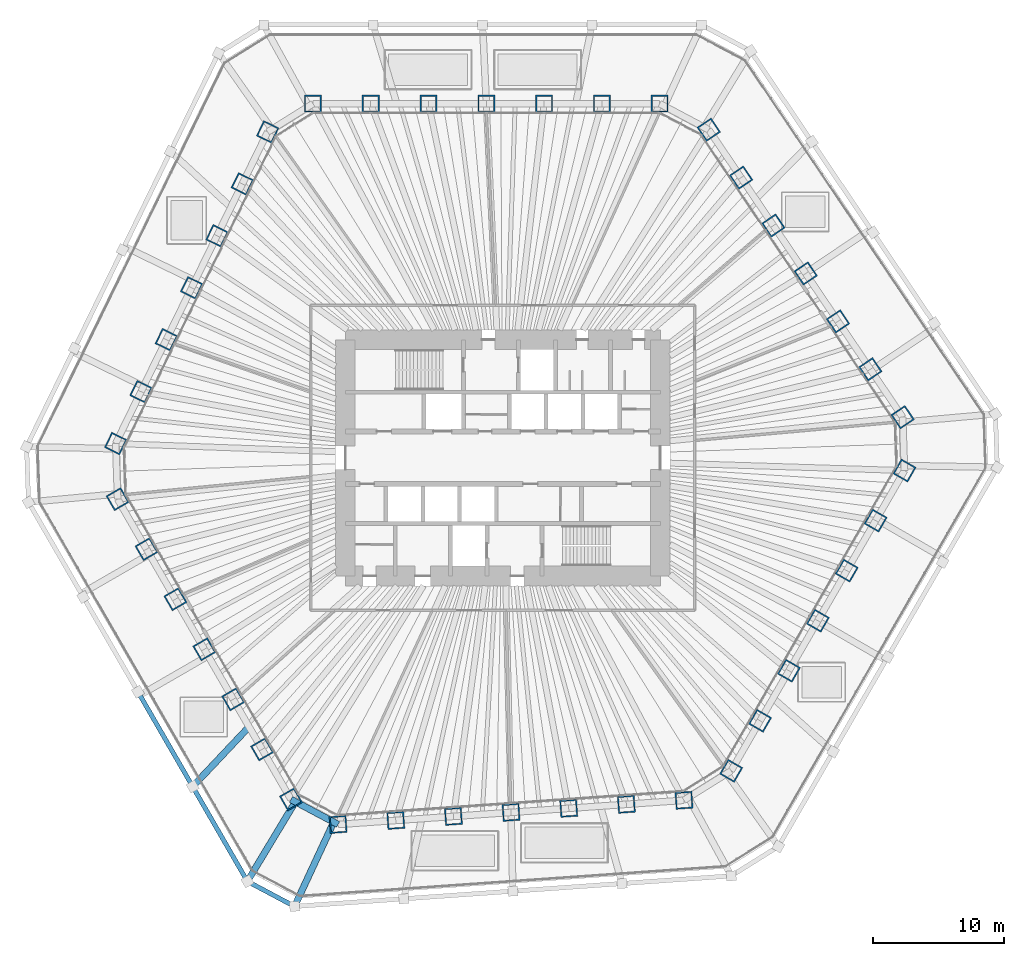
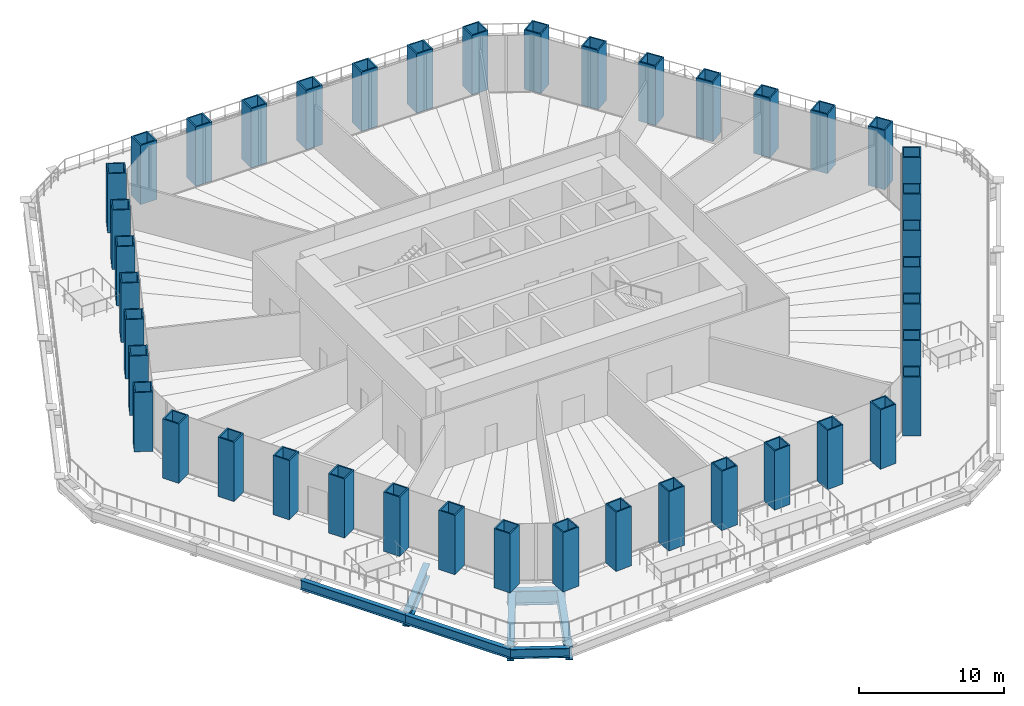
# One storey, part 1 of 20: 42 columns, 7 beams.
"""IFC4 building model written with IfcOpenShell, lengths in metres."""

from ifc_helpers import new_model, si_unit, direction, frame, origin, origin_2d, place, context, subcontext, project, spatial, hollow_rectangle, i_section, extrude, material, material_profile, profile_set, type_object, element, save


model = new_model("IFC4")

# Units and contexts
model_context = context("Model", 3, precision=1e-05, world=origin(), true_north=direction((0.0, 1.0)))
body_context = subcontext(model_context, "Body", "Model", "MODEL_VIEW")
ifc_project = project(units=[si_unit("LENGTHUNIT", "METRE"), si_unit("AREAUNIT", "SQUARE_METRE"), si_unit("VOLUMEUNIT", "CUBIC_METRE"), si_unit("PLANEANGLEUNIT", "RADIAN"), si_unit("MASSUNIT", "GRAM", prefix="KILO")], contexts=[model_context])

# Site, building, storey
site_placement = place(None, origin())
site = spatial("IfcSite", under=ifc_project, at=site_placement, CompositionType="ELEMENT")
building_placement = place(site_placement, origin())
building = spatial("IfcBuilding", under=site, at=building_placement, Name="Qingtian Harvest Tower", CompositionType="ELEMENT")
storey_placement = place(building_placement, frame((0.0, 0.0, 17.0)))
storey = spatial("IfcBuildingStorey", under=building, at=storey_placement, Name="L03", CompositionType="ELEMENT", Elevation=17.0)

# Columns
ifc_material_1 = material(Name="Steel SM570MC", Category="steel")
ifc_material_profile_1 = material_profile(ifc_material_1, hollow_rectangle(XDim=1.300048828125, YDim=1.300048828125, WallThickness=0.10009765625, at=origin_2d()), Name="BOX1300x1300x100")
ifc_profile_set_1 = profile_set([ifc_material_profile_1], Name="Steel SM570MC")
column_type = type_object("IfcColumnType", Name="Tube column TC1 BOX1300x1300x100", PredefinedType="COLUMN", material=ifc_profile_set_1)
for number, where, z_axis, x_axis, name in (
    (1, (-14.471435546875, 27.0, 0.0), (0.0, 0.0, 1.0), (-1.0, 0.0, 0.0), "Tube column TC1 N0"),
    (2, (-10.06689453125, 27.0, 0.0), (0.0, 0.0, 1.0), (-1.0, 0.0, 0.0), "Tube column TC1 N1"),
    (3, (-5.662353515625, 27.0, 0.0), (0.0, 0.0, 1.0), (-1.0, 0.0, 0.0), "Tube column TC1 N2"),
    (4, (-1.257568359375, 27.0, 0.0), (0.0, 0.0, 1.0), (-1.0, 0.0, 0.0), "Tube column TC1 N3"),
    (5, (3.14697265625, 27.0, 0.0), (0.0, 0.0, 1.0), (-1.0, 0.0, 0.0), "Tube column TC1 N4"),
    (6, (7.551513671875, 27.0, 0.0), (0.0, 0.0, 1.0), (-1.0, 0.0, 0.0), "Tube column TC1 N5"),
    (7, (11.9560546875, 27.0, 0.0), (0.0, 0.0, 1.0), (-1.0, 0.0, 0.0), "Tube column TC1 N6"),
    (8, (15.6982421875, 25.01025390625, 0.0), (0.0, 0.0, 1.0), (-0.559192903471, 0.829037572555, 0.0), "Tube column TC1 NE0"),
    (9, (18.1611328125, 21.358642578125, 0.0), (0.0, 0.0, 1.0), (-0.559192903471, 0.829037572555, 0.0), "Tube column TC1 NE1"),
    (10, (20.624267578125, 17.70703125, 0.0), (0.0, 0.0, 1.0), (-0.559192903471, 0.829037572555, 0.0), "Tube column TC1 NE2"),
    (11, (23.08740234375, 14.0556640625, 0.0), (0.0, 0.0, 1.0), (-0.559192903471, 0.829037572555, 0.0), "Tube column TC1 NE3"),
    (12, (25.55029296875, 10.404052734375, 0.0), (0.0, 0.0, 1.0), (-0.559192903471, 0.829037572555, 0.0), "Tube column TC1 NE4"),
    (13, (28.013427734375, 6.75244140625, 0.0), (0.0, 0.0, 1.0), (-0.559192903471, 0.829037572555, 0.0), "Tube column TC1 NE5"),
    (14, (30.476318359375, 3.100830078125, 0.0), (0.0, 0.0, 1.0), (-0.559192903471, 0.829037572555, 0.0), "Tube column TC1 NE6"),
    (15, (30.618408203125, -0.96728515625, 0.0), (0.0, 0.0, 1.0), (0.5, 0.866025403784, 0.0), "Tube column TC1 SE0"),
    (16, (28.416015625, -4.78173828125, 0.0), (0.0, 0.0, 1.0), (0.5, 0.866025403784, 0.0), "Tube column TC1 SE1"),
    (17, (26.2138671875, -8.596435546875, 0.0), (0.0, 0.0, 1.0), (0.5, 0.866025403784, 0.0), "Tube column TC1 SE2"),
    (18, (24.011474609375, -12.410888671875, 0.0), (0.0, 0.0, 1.0), (0.5, 0.866025403784, 0.0), "Tube column TC1 SE3"),
    (19, (21.809326171875, -16.225341796875, 0.0), (0.0, 0.0, 1.0), (0.5, 0.866025403784, 0.0), "Tube column TC1 SE4"),
    (20, (19.60693359375, -20.039794921875, 0.0), (0.0, 0.0, 1.0), (0.5, 0.866025403784, 0.0), "Tube column TC1 SE5"),
    (21, (17.404541015625, -23.854248046875, 0.0), (0.0, 0.0, 1.0), (0.5, 0.866025403784, 0.0), "Tube column TC1 SE6"),
    (22, (13.810546875, -26.10009765625, 0.0), (0.0, 0.0, 1.0), (0.99756405026, 0.069756473744, 0.0), "Tube column TC1 S0"),
    (23, (9.41650390625, -26.407470703125, 0.0), (0.0, 0.0, 1.0), (0.99756405026, 0.069756473744, 0.0), "Tube column TC1 S1"),
    (24, (5.022705078125, -26.714599609375, 0.0), (0.0, 0.0, 1.0), (0.99756405026, 0.069756473744, 0.0), "Tube column TC1 S2"),
    (25, (0.62890625, -27.02197265625, 0.0), (0.0, 0.0, 1.0), (0.99756405026, 0.069756473744, 0.0), "Tube column TC1 S3"),
    (26, (-3.76513671875, -27.3291015625, 0.0), (0.0, 0.0, 1.0), (0.99756405026, 0.069756473744, 0.0), "Tube column TC1 S4"),
    (27, (-8.158935546875, -27.636474609375, 0.0), (0.0, 0.0, 1.0), (0.99756405026, 0.069756473744, 0.0), "Tube column TC1 S5"),
    (28, (-12.552734375, -27.943603515625, 0.0), (0.0, 0.0, 1.0), (0.99756405026, 0.069756473744, 0.0), "Tube column TC1 S6"),
    (29, (-16.14697265625, -26.03271484375, 0.0), (0.0, 0.0, 1.0), (0.5, -0.866025403784, 0.0), "Tube column TC1 SW0"),
    (30, (-18.349365234375, -22.21826171875, 0.0), (0.0, 0.0, 1.0), (0.5, -0.866025403784, 0.0), "Tube column TC1 SW1"),
    (31, (-20.551513671875, -18.403564453125, 0.0), (0.0, 0.0, 1.0), (0.5, -0.866025403784, 0.0), "Tube column TC1 SW2"),
    (32, (-22.75390625, -14.589111328125, 0.0), (0.0, 0.0, 1.0), (0.5, -0.866025403784, 0.0), "Tube column TC1 SW3"),
    (33, (-24.9560546875, -10.774658203125, 0.0), (0.0, 0.0, 1.0), (0.5, -0.866025403784, 0.0), "Tube column TC1 SW4"),
    (34, (-27.158447265625, -6.960205078125, 0.0), (0.0, 0.0, 1.0), (0.5, -0.866025403784, 0.0), "Tube column TC1 SW5"),
    (35, (-29.36083984375, -3.145751953125, 0.0), (0.0, 0.0, 1.0), (0.5, -0.866025403784, 0.0), "Tube column TC1 SW6"),
    (36, (-29.5087890625, 1.08984375, 0.0), (0.0, 0.0, 1.0), (-0.438371146789, -0.898794046299, 0.0), "Tube column TC1 NW0"),
    (37, (-27.577880859375, 5.048828125, 0.0), (0.0, 0.0, 1.0), (-0.438371146789, -0.898794046299, 0.0), "Tube column TC1 NW1"),
    (38, (-25.64697265625, 9.007568359375, 0.0), (0.0, 0.0, 1.0), (-0.438371146789, -0.898794046299, 0.0), "Tube column TC1 NW2"),
    (39, (-23.716064453125, 12.96630859375, 0.0), (0.0, 0.0, 1.0), (-0.438371146789, -0.898794046299, 0.0), "Tube column TC1 NW3"),
    (40, (-21.78515625, 16.92529296875, 0.0), (0.0, 0.0, 1.0), (-0.438371146789, -0.898794046299, 0.0), "Tube column TC1 NW4"),
    (41, (-19.8544921875, 20.884033203125, 0.0), (0.0, 0.0, 1.0), (-0.438371146789, -0.898794046299, 0.0), "Tube column TC1 NW5"),
    (42, (-17.923583984375, 24.8427734375, 0.0), (0.0, 0.0, 1.0), (-0.438371146789, -0.898794046299, 0.0), "Tube column TC1 NW6"),
):
    element("IfcColumn", number, at=place(storey_placement, frame(where, z_axis=z_axis, x_axis=x_axis)), inside=storey, type_object=column_type, Name=name, PredefinedType="COLUMN", context=body_context, shape_type="SweptSolid", body=[
        extrude(hollow_rectangle(XDim=1.300048828125, YDim=1.300048828125, WallThickness=0.10009765625, at=origin_2d()), origin(), (0.0, 0.0, 1.0), 5.0),
    ])

# Beams
ifc_material_2 = material(Name="Steel SM570MC", Category="steel")
ifc_material_profile_2 = material_profile(ifc_material_2, i_section(OverallWidth=0.5, OverallDepth=1.10009765625, WebThickness=0.02490234375, FlangeThickness=0.050048828125, at=origin_2d()), Name="H1100x500x25x50")
ifc_profile_set_2 = profile_set([ifc_material_profile_2], Name="Steel SM570MC")
beam_type_1 = type_object("IfcBeamType", Name="Floor beam FB6 H1100x500x25x50", PredefinedType="BEAM", material=ifc_profile_set_2)
for number, where, z_axis, x_axis, name in (
    (43, (-15.874267578125, -34.190673828125, -0.85009765625), (0.421100170237, 0.907014138052, 0.0), (-0.907014138052, 0.421100170237, 0.0), "Podium floor beam FB6 S4"),
    (44, (-19.468505859375, -32.279541015625, -0.85009765625), (0.516465499259, 0.856307998371, 0.0), (-0.856307998371, 0.516465499259, 0.0), "Podium floor beam FB6 SW0"),
):
    element("IfcBeam", number, at=place(storey_placement, frame(where, z_axis=z_axis, x_axis=x_axis)), inside=storey, type_object=beam_type_1, Name=name, PredefinedType="BEAM", context=body_context, shape_type="SweptSolid", body=[
        extrude(i_section(OverallWidth=0.5, OverallDepth=1.10009765625, WebThickness=0.02490234375, FlangeThickness=0.050048828125, at=origin_2d()), origin(), (0.0, 0.0, 1.0), 7.08544921875),
    ])
beam_1_placement = place(storey_placement, frame((-23.639404296875, -25.055419921875, -0.85009765625), z_axis=(0.686245720633, 0.727369789662, 0.0), x_axis=(-0.727369789662, 0.686245720633, 0.0)))
element("IfcBeam", 45, at=beam_1_placement, inside=storey, type_object=beam_type_1, Name="Podium floor beam FB6 SW1", PredefinedType="BEAM", context=body_context, shape_type="SweptSolid", body=[
    extrude(i_section(OverallWidth=0.5, OverallDepth=1.10009765625, WebThickness=0.02490234375, FlangeThickness=0.050048828125, at=origin_2d()), origin(), (0.0, 0.0, 1.0), 6.26318359375),
])
ifc_material_3 = material(Name="Steel SN490B", Category="steel")
ifc_material_profile_3 = material_profile(ifc_material_3, i_section(OverallWidth=0.35009765625, OverallDepth=0.800048828125, WebThickness=0.01611328125, FlangeThickness=0.028076171875, at=origin_2d()), Name="H800x350x16x28")
ifc_profile_set_3 = profile_set([ifc_material_profile_3], Name="Steel SN490B")
beam_type_2 = type_object("IfcBeamType", Name="Podium beam PB1 H800x350x16x28", PredefinedType="BEAM", material=ifc_profile_set_3)
beam_2_placement = place(storey_placement, frame((-15.874267578125, -34.190673828125, -0.699951171875), z_axis=(-0.882943273379, 0.469479686456, 0.0), x_axis=(-0.469479686456, -0.882943273379, 0.0)))
element("IfcBeam", 46, at=beam_2_placement, inside=storey, type_object=beam_type_2, Name="Podium edge beam PB1 S4", PredefinedType="BEAM", context=body_context, shape_type="SweptSolid", body=[
    extrude(i_section(OverallWidth=0.35009765625, OverallDepth=0.800048828125, WebThickness=0.01611328125, FlangeThickness=0.028076171875, at=origin_2d()), origin(), (0.0, 0.0, 1.0), 4.07080078125),
])
for number, where, z_axis, x_axis, name in (
    (47, (-19.468505859375, -32.279541015625, -0.699951171875), (-0.500004511595, 0.866022798998, 0.0), (-0.866022798998, -0.500004511595, 0.0), "Podium edge beam PB1 SW0"),
    (48, (-23.639404296875, -25.055419921875, -0.699951171875), (-0.500004511595, 0.866022798998, 0.0), (-0.866022798998, -0.500004511595, 0.0), "Podium edge beam PB1 SW1"),
):
    element("IfcBeam", number, at=place(storey_placement, frame(where, z_axis=z_axis, x_axis=x_axis)), inside=storey, type_object=beam_type_2, Name=name, PredefinedType="BEAM", context=body_context, shape_type="SweptSolid", body=[
        extrude(i_section(OverallWidth=0.35009765625, OverallDepth=0.800048828125, WebThickness=0.01611328125, FlangeThickness=0.028076171875, at=origin_2d()), origin(), (0.0, 0.0, 1.0), 8.341796875),
    ])
ifc_material_4 = material(Name="Steel SM570MC", Category="steel")
ifc_material_profile_4 = material_profile(ifc_material_4, i_section(OverallWidth=0.5, OverallDepth=1.199951171875, WebThickness=0.02490234375, FlangeThickness=0.050048828125, at=origin_2d()), Name="H1200x500x25x50")
ifc_profile_set_4 = profile_set([ifc_material_profile_4], Name="Steel SM570MC")
beam_type_3 = type_object("IfcBeamType", Name="Spandrel beam SB1 H1200x500x25x50", PredefinedType="SPANDREL", material=ifc_profile_set_4)
beam_3_placement = place(storey_placement, frame((-12.552734375, -27.943603515625, -0.89990234375), z_axis=(-0.882968133669, 0.469432929101, 0.0), x_axis=(-0.469432929101, -0.882968133669, 0.0)))
element("IfcBeam", 49, at=beam_3_placement, inside=storey, type_object=beam_type_3, Name="Spandrel SB1 SC", PredefinedType="SPANDREL", context=body_context, shape_type="SweptSolid", body=[
    extrude(i_section(OverallWidth=0.5, OverallDepth=1.199951171875, WebThickness=0.02490234375, FlangeThickness=0.050048828125, at=origin_2d()), origin(), (0.0, 0.0, 1.0), 4.070556640625),
])

save(model, "model.ifc")
